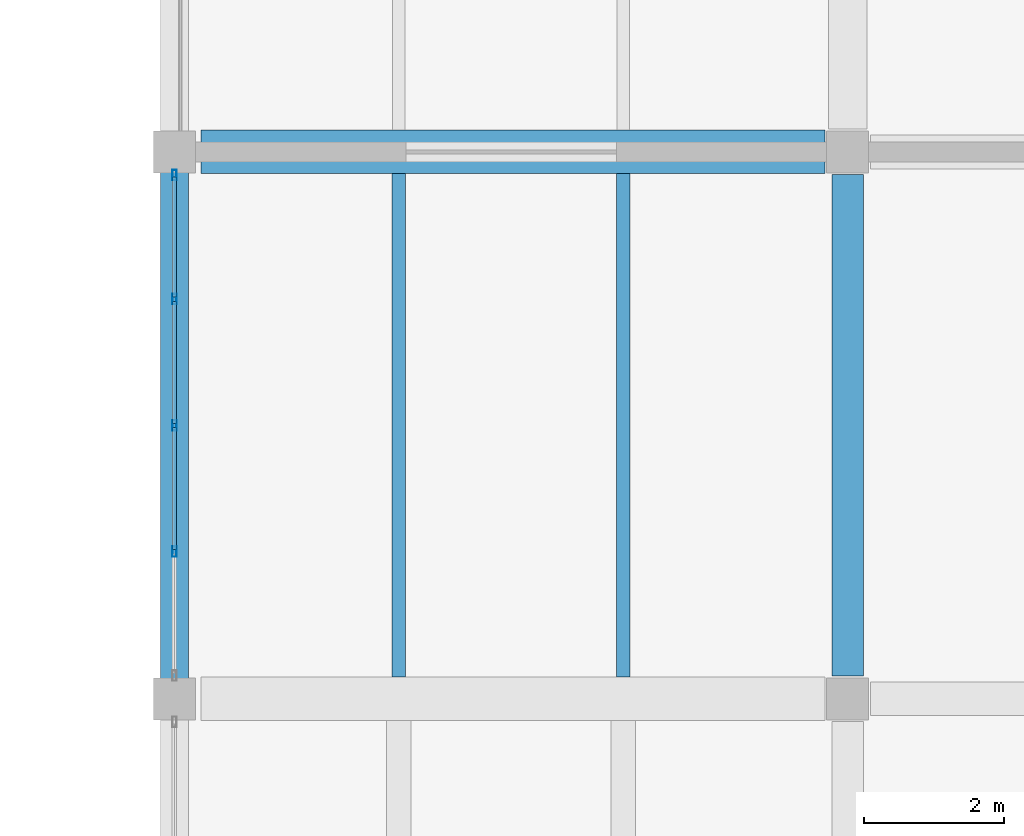
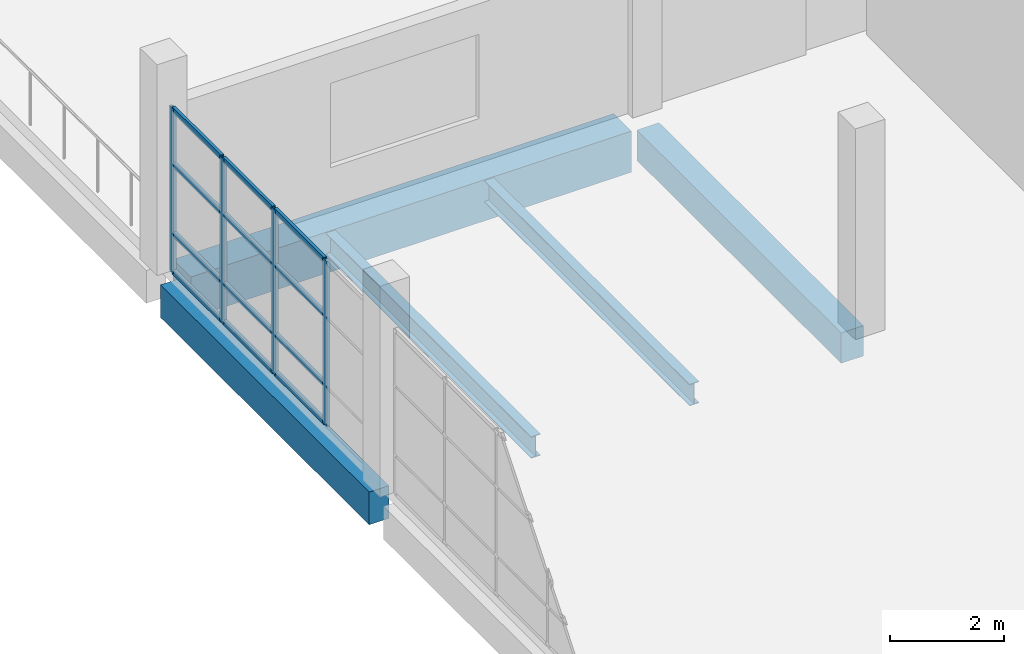
# One storey, part 29 of 71: 16 members, 5 beams, 1 element without a shape of its own.
"""IFC4 building model written with IfcOpenShell, lengths in metres."""

from ifc_helpers import new_model, si_unit, direction, frame, origin, origin_2d, place, context, subcontext, project, spatial, rectangle, hollow_rectangle, i_section, extrude, material, material_profile, profile_set, type_object, element, aggregate, save


model = new_model("IFC4")

# Units and contexts
model_context = context("Model", 3, precision=1e-05, world=origin(), true_north=direction((0.0, 1.0)))
body_context = subcontext(model_context, "Body", "Model", "MODEL_VIEW")
ifc_project = project(units=[si_unit("LENGTHUNIT", "METRE"), si_unit("AREAUNIT", "SQUARE_METRE"), si_unit("VOLUMEUNIT", "CUBIC_METRE"), si_unit("PLANEANGLEUNIT", "RADIAN"), si_unit("MASSUNIT", "GRAM", prefix="KILO")], contexts=[model_context])

# Site, building, storey
site_placement = place(None, origin())
site = spatial("IfcSite", under=ifc_project, at=site_placement, CompositionType="ELEMENT")
building_placement = place(site_placement, origin())
building = spatial("IfcBuilding", under=site, at=building_placement, Name="Pellamere Symphony Hall", CompositionType="ELEMENT")
storey_placement = place(building_placement, frame((0.0, 0.0, 15.0)))
storey = spatial("IfcBuildingStorey", under=building, at=storey_placement, Name="L03", CompositionType="ELEMENT", Elevation=15.0)

# Curtain wall, members
ifc_material_1 = material(Name="Thermally Broken Anodised Aluminium 6063-T6 Curtain Wall", Category="aluminium")
curtain_wall_type = type_object("IfcCurtainWallType", Name="Curtain Wall CW-05 (Artists Wing North Studio Ribbon Curtain Wall)", PredefinedType="NOTDEFINED", material=ifc_material_1)
curtain_wall_placement = place(storey_placement, origin())
curtain_wall = element("IfcCurtainWall", 1, at=curtain_wall_placement, inside=storey, type_object=curtain_wall_type, Name="Sculpture Court East Wing Curtain Wall (L03 Bay 3)", PredefinedType="NOTDEFINED")
ifc_material_2 = material(Name="Anodised Architectural Aluminium 6063-T6", Category="aluminium")
ifc_material_profile_1 = material_profile(ifc_material_2, hollow_rectangle(XDim=0.06005859375, YDim=0.14990234375, WallThickness=0.00390625, at=origin_2d()), Name="ALU-M60X150X4")
ifc_profile_set_1 = profile_set([ifc_material_profile_1], Name="Anodised Architectural Aluminium 6063-T6")
member_type_1 = type_object("IfcMemberType", Name="Curtain Wall Mullion ML-03 ALU-M60X150X4", PredefinedType="MULLION", material=ifc_profile_set_1)
member_1_placement = place(storey_placement, frame((138.0, 79.5, 0.0), z_axis=(0.0, 0.0, 1.0), x_axis=(-1.0, 0.0, 0.0)))
member_1 = element("IfcMember", 2, at=member_1_placement, type_object=member_type_1, Name="CW5-144 crystal mullion 2", PredefinedType="MULLION", context=body_context, shape_type="SweptSolid", body=[
    extrude(hollow_rectangle(XDim=0.06005859375, YDim=0.14990234375, WallThickness=0.00390625, at=origin_2d()), origin(), (0.0, 0.0, 1.0), 3.52001953125),
])
member_2_placement = place(storey_placement, frame((138.0, 81.300048828125, 0.0), z_axis=(0.0, 0.0, 1.0), x_axis=(-1.0, 0.0, 0.0)))
member_2 = element("IfcMember", 3, at=member_2_placement, type_object=member_type_1, Name="CW5-144 crystal mullion 3", PredefinedType="MULLION", context=body_context, shape_type="SweptSolid", body=[
    extrude(hollow_rectangle(XDim=0.06005859375, YDim=0.14990234375, WallThickness=0.00390625, at=origin_2d()), origin(), (0.0, 0.0, 1.0), 3.52001953125),
])
member_3_placement = place(storey_placement, frame((138.0, 83.10009765625, 0.0), z_axis=(0.0, 0.0, 1.0), x_axis=(-1.0, 0.0, 0.0)))
member_3 = element("IfcMember", 4, at=member_3_placement, type_object=member_type_1, Name="CW5-144 crystal mullion 4", PredefinedType="MULLION", context=body_context, shape_type="SweptSolid", body=[
    extrude(hollow_rectangle(XDim=0.06005859375, YDim=0.14990234375, WallThickness=0.00390625, at=origin_2d()), origin(), (0.0, 0.0, 1.0), 3.52001953125),
])
member_4_placement = place(storey_placement, frame((138.0, 84.8701171875, 0.0), z_axis=(0.0, 0.0, 1.0), x_axis=(-1.0, 0.0, 0.0)))
member_4 = element("IfcMember", 5, at=member_4_placement, type_object=member_type_1, Name="CW5-144 crystal mullion 5", PredefinedType="MULLION", context=body_context, shape_type="SweptSolid", body=[
    extrude(hollow_rectangle(XDim=0.06005859375, YDim=0.14990234375, WallThickness=0.00390625, at=origin_2d()), origin(), (0.0, 0.0, 1.0), 3.52001953125),
])
ifc_material_profile_2 = material_profile(ifc_material_2, hollow_rectangle(XDim=0.06005859375, YDim=0.1201171875, WallThickness=0.00390625, at=origin_2d()), Name="ALU-T60X120X4")
ifc_profile_set_2 = profile_set([ifc_material_profile_2], Name="Anodised Architectural Aluminium 6063-T6")
member_type_2 = type_object("IfcMemberType", Name="Curtain Wall Transom TR-03 ALU-T60X120X4", PredefinedType="USERDEFINED", material=ifc_profile_set_2)
member_5_placement = place(storey_placement, frame((138.0, 79.530029296875, 0.030029296875), z_axis=(0.0, 1.0, 0.0), x_axis=(-1.0, 0.0, 0.0)))
member_5 = element("IfcMember", 6, at=member_5_placement, type_object=member_type_2, Name="CW5-144 crystal transom 2.1", ObjectType="TRANSOM", PredefinedType="USERDEFINED", context=body_context, shape_type="SweptSolid", body=[
    extrude(hollow_rectangle(XDim=0.06005859375, YDim=0.1201171875, WallThickness=0.00390625, at=origin_2d()), origin(), (0.0, 0.0, 1.0), 1.739990234375),
])
member_6_placement = place(storey_placement, frame((138.0, 79.530029296875, 0.8447265625), z_axis=(0.0, 1.0, 0.0), x_axis=(-1.0, 0.0, 0.0)))
member_6 = element("IfcMember", 7, at=member_6_placement, type_object=member_type_2, Name="CW5-144 crystal transom 2.2", ObjectType="TRANSOM", PredefinedType="USERDEFINED", context=body_context, shape_type="SweptSolid", body=[
    extrude(hollow_rectangle(XDim=0.06005859375, YDim=0.1201171875, WallThickness=0.00390625, at=origin_2d()), origin(), (0.0, 0.0, 1.0), 1.739990234375),
])
member_7_placement = place(storey_placement, frame((138.0, 79.530029296875, 2.3232421875), z_axis=(0.0, 1.0, 0.0), x_axis=(-1.0, 0.0, 0.0)))
member_7 = element("IfcMember", 8, at=member_7_placement, type_object=member_type_2, Name="CW5-144 crystal transom 2.3", ObjectType="TRANSOM", PredefinedType="USERDEFINED", context=body_context, shape_type="SweptSolid", body=[
    extrude(hollow_rectangle(XDim=0.06005859375, YDim=0.1201171875, WallThickness=0.00390625, at=origin_2d()), origin(), (0.0, 0.0, 1.0), 1.739990234375),
])
member_8_placement = place(storey_placement, frame((138.0, 79.530029296875, 3.489990234375), z_axis=(0.0, 1.0, 0.0), x_axis=(-1.0, 0.0, 0.0)))
member_8 = element("IfcMember", 9, at=member_8_placement, type_object=member_type_2, Name="CW5-144 crystal transom 2.4", ObjectType="TRANSOM", PredefinedType="USERDEFINED", context=body_context, shape_type="SweptSolid", body=[
    extrude(hollow_rectangle(XDim=0.06005859375, YDim=0.1201171875, WallThickness=0.00390625, at=origin_2d()), origin(), (0.0, 0.0, 1.0), 1.739990234375),
])
member_9_placement = place(storey_placement, frame((138.0, 81.330078125, 0.030029296875), z_axis=(0.0, 1.0, 0.0), x_axis=(-1.0, 0.0, 0.0)))
member_9 = element("IfcMember", 10, at=member_9_placement, type_object=member_type_2, Name="CW5-144 crystal transom 3.1", ObjectType="TRANSOM", PredefinedType="USERDEFINED", context=body_context, shape_type="SweptSolid", body=[
    extrude(hollow_rectangle(XDim=0.06005859375, YDim=0.1201171875, WallThickness=0.00390625, at=origin_2d()), origin(), (0.0, 0.0, 1.0), 1.739990234375),
])
member_10_placement = place(storey_placement, frame((138.0, 81.330078125, 0.8447265625), z_axis=(0.0, 1.0, 0.0), x_axis=(-1.0, 0.0, 0.0)))
member_10 = element("IfcMember", 11, at=member_10_placement, type_object=member_type_2, Name="CW5-144 crystal transom 3.2", ObjectType="TRANSOM", PredefinedType="USERDEFINED", context=body_context, shape_type="SweptSolid", body=[
    extrude(hollow_rectangle(XDim=0.06005859375, YDim=0.1201171875, WallThickness=0.00390625, at=origin_2d()), origin(), (0.0, 0.0, 1.0), 1.739990234375),
])
member_11_placement = place(storey_placement, frame((138.0, 81.330078125, 2.3232421875), z_axis=(0.0, 1.0, 0.0), x_axis=(-1.0, 0.0, 0.0)))
member_11 = element("IfcMember", 12, at=member_11_placement, type_object=member_type_2, Name="CW5-144 crystal transom 3.3", ObjectType="TRANSOM", PredefinedType="USERDEFINED", context=body_context, shape_type="SweptSolid", body=[
    extrude(hollow_rectangle(XDim=0.06005859375, YDim=0.1201171875, WallThickness=0.00390625, at=origin_2d()), origin(), (0.0, 0.0, 1.0), 1.739990234375),
])
member_12_placement = place(storey_placement, frame((138.0, 81.330078125, 3.489990234375), z_axis=(0.0, 1.0, 0.0), x_axis=(-1.0, 0.0, 0.0)))
member_12 = element("IfcMember", 13, at=member_12_placement, type_object=member_type_2, Name="CW5-144 crystal transom 3.4", ObjectType="TRANSOM", PredefinedType="USERDEFINED", context=body_context, shape_type="SweptSolid", body=[
    extrude(hollow_rectangle(XDim=0.06005859375, YDim=0.1201171875, WallThickness=0.00390625, at=origin_2d()), origin(), (0.0, 0.0, 1.0), 1.739990234375),
])
member_13_placement = place(storey_placement, frame((138.0, 83.1298828125, 0.030029296875), z_axis=(0.0, 1.0, 0.0), x_axis=(-1.0, 0.0, 0.0)))
member_13 = element("IfcMember", 14, at=member_13_placement, type_object=member_type_2, Name="CW5-144 crystal transom 4.1", ObjectType="TRANSOM", PredefinedType="USERDEFINED", context=body_context, shape_type="SweptSolid", body=[
    extrude(hollow_rectangle(XDim=0.06005859375, YDim=0.1201171875, WallThickness=0.00390625, at=origin_2d()), origin(), (0.0, 0.0, 1.0), 1.710205078125),
])
member_14_placement = place(storey_placement, frame((138.0, 83.1298828125, 0.8447265625), z_axis=(0.0, 1.0, 0.0), x_axis=(-1.0, 0.0, 0.0)))
member_14 = element("IfcMember", 15, at=member_14_placement, type_object=member_type_2, Name="CW5-144 crystal transom 4.2", ObjectType="TRANSOM", PredefinedType="USERDEFINED", context=body_context, shape_type="SweptSolid", body=[
    extrude(hollow_rectangle(XDim=0.06005859375, YDim=0.1201171875, WallThickness=0.00390625, at=origin_2d()), origin(), (0.0, 0.0, 1.0), 1.710205078125),
])
member_15_placement = place(storey_placement, frame((138.0, 83.1298828125, 2.3232421875), z_axis=(0.0, 1.0, 0.0), x_axis=(-1.0, 0.0, 0.0)))
member_15 = element("IfcMember", 16, at=member_15_placement, type_object=member_type_2, Name="CW5-144 crystal transom 4.3", ObjectType="TRANSOM", PredefinedType="USERDEFINED", context=body_context, shape_type="SweptSolid", body=[
    extrude(hollow_rectangle(XDim=0.06005859375, YDim=0.1201171875, WallThickness=0.00390625, at=origin_2d()), origin(), (0.0, 0.0, 1.0), 1.710205078125),
])
member_16_placement = place(storey_placement, frame((138.0, 83.1298828125, 3.489990234375), z_axis=(0.0, 1.0, 0.0), x_axis=(-1.0, 0.0, 0.0)))
member_16 = element("IfcMember", 17, at=member_16_placement, type_object=member_type_2, Name="CW5-144 crystal transom 4.4", ObjectType="TRANSOM", PredefinedType="USERDEFINED", context=body_context, shape_type="SweptSolid", body=[
    extrude(hollow_rectangle(XDim=0.06005859375, YDim=0.1201171875, WallThickness=0.00390625, at=origin_2d()), origin(), (0.0, 0.0, 1.0), 1.710205078125),
])
aggregate(curtain_wall, [member_1, member_2, member_3, member_4, member_5, member_6, member_7, member_8, member_9, member_10, member_11, member_12, member_13, member_14, member_15, member_16])

# Beams
ifc_material_3 = material(Name="Concrete 40 MPa", Category="concrete")
ifc_material_profile_3 = material_profile(ifc_material_3, rectangle(XDim=0.449951171875, YDim=0.64990234375, at=origin_2d()), Name="RC 450x650")
ifc_profile_set_3 = profile_set([ifc_material_profile_3], Name="Concrete 40 MPa")
beam_type_1 = type_object("IfcBeamType", Name="RC CB-08 450x650", PredefinedType="BEAM", material=ifc_profile_set_3)
beam_1_placement = place(storey_placement, frame((147.60009765625, 77.72509765625, -0.5849609375), z_axis=(0.0, 1.0, 0.0), x_axis=(-1.0, 0.0, 0.0)))
element("IfcBeam", 18, at=beam_1_placement, inside=storey, type_object=beam_type_1, Name="Girder CB-08-Y1686 (L03)", PredefinedType="BEAM", context=body_context, shape_type="SweptSolid", body=[
    extrude(rectangle(XDim=0.449951171875, YDim=0.64990234375, at=origin_2d()), origin(), (0.0, 0.0, 1.0), 7.14990234375),
])
ifc_material_profile_4 = material_profile(ifc_material_3, rectangle(XDim=0.39990234375, YDim=0.699951171875, at=origin_2d()), Name="RC 400x700")
ifc_profile_set_4 = profile_set([ifc_material_profile_4], Name="Concrete 40 MPa")
beam_type_2 = type_object("IfcBeamType", Name="RC CB-13 400x700", PredefinedType="SPANDREL", material=ifc_profile_set_4)
beam_2_placement = place(storey_placement, frame((138.0, 77.64990234375, -0.610107421875), z_axis=(0.0, 1.0, 0.0), x_axis=(-1.0, 0.0, 0.0)))
element("IfcBeam", 19, at=beam_2_placement, inside=storey, type_object=beam_type_2, Name="Girder CB-13-Y1677 (L03)", PredefinedType="SPANDREL", context=body_context, shape_type="SweptSolid", body=[
    extrude(rectangle(XDim=0.39990234375, YDim=0.699951171875, at=origin_2d()), origin(), (0.0, 0.0, 1.0), 7.300048828125),
])
ifc_material_profile_5 = material_profile(ifc_material_3, rectangle(XDim=0.6201171875, YDim=0.8798828125, at=origin_2d()), Name="RC 620x880")
ifc_profile_set_5 = profile_set([ifc_material_profile_5], Name="Concrete 40 MPa")
beam_type_3 = type_object("IfcBeamType", Name="RC CB-17 620x880", PredefinedType="BEAM", material=ifc_profile_set_5)
beam_3_placement = place(storey_placement, frame((138.375, 85.199951171875, -0.699951171875), z_axis=(1.0, 0.0, 0.0), x_axis=(0.0, 1.0, 0.0)))
element("IfcBeam", 20, at=beam_3_placement, inside=storey, type_object=beam_type_3, Name="Girder CB-17-X1590 (L03)", PredefinedType="BEAM", context=body_context, shape_type="SweptSolid", body=[
    extrude(rectangle(XDim=0.6201171875, YDim=0.8798828125, at=origin_2d()), origin(), (0.0, 0.0, 1.0), 8.89990234375),
])
ifc_material_4 = material(Name="Steel CSA G40.21 350W", Category="steel")
ifc_material_profile_6 = material_profile(ifc_material_4, i_section(OverallWidth=0.19091796875, OverallDepth=0.4599609375, WebThickness=0.010009765625, FlangeThickness=0.014404296875, at=origin_2d()), Name="W460X82")
ifc_profile_set_6 = profile_set([ifc_material_profile_6], Name="Steel CSA G40.21 350W")
beam_type_4 = type_object("IfcBeamType", Name="Steel Joist SB-17 W460X82", PredefinedType="JOIST", material=ifc_profile_set_6)
for number, where, z_axis, x_axis, name in (
    (21, (141.199951171875, 77.7099609375, -0.5048828125), (0.0, 1.0, 0.0), (-1.0, 0.0, 0.0), "Secondary Floor Beam SB-17-A1710 (L03)"),
    (22, (144.39990234375, 77.7099609375, -0.5048828125), (0.0, 1.0, 0.0), (-1.0, 0.0, 0.0), "Secondary Floor Beam SB-17-B1710 (L03)"),
):
    element("IfcBeam", number, at=place(storey_placement, frame(where, z_axis=z_axis, x_axis=x_axis)), inside=storey, type_object=beam_type_4, Name=name, PredefinedType="JOIST", context=body_context, shape_type="SweptSolid", body=[
        extrude(i_section(OverallWidth=0.19091796875, OverallDepth=0.4599609375, WebThickness=0.010009765625, FlangeThickness=0.014404296875, at=origin_2d()), origin(), (0.0, 0.0, 1.0), 7.179931640625),
    ])

save(model, "model.ifc")
